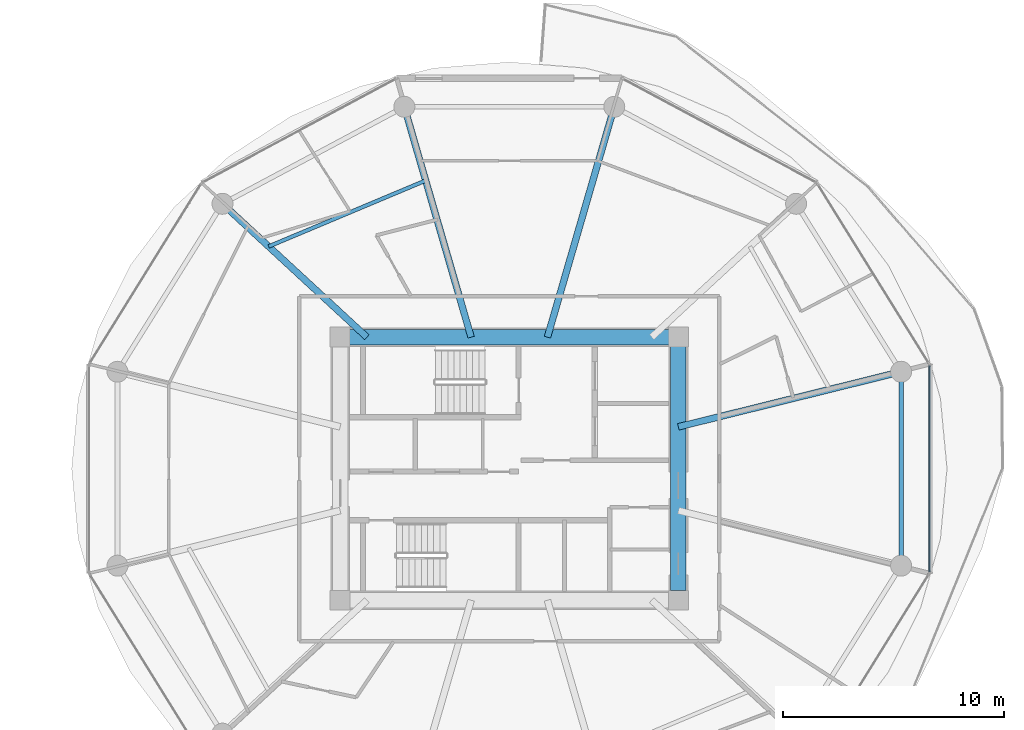
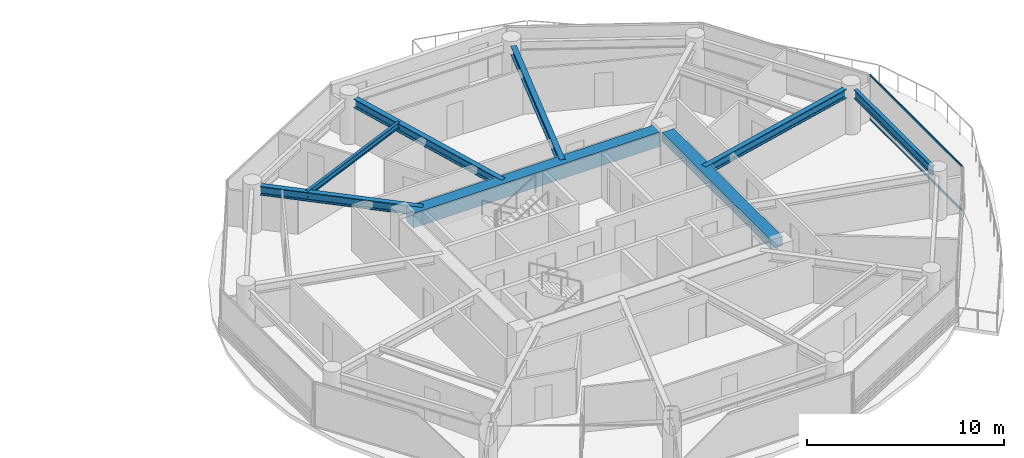
# One storey, part 13 of 28: 8 beams, 2 members, 1 element without a shape of its own.
"""IFC4 building model written with IfcOpenShell, lengths in metres."""

import ifcopenshell
import ifcopenshell.guid

model = None  # the IFC model being written
_history = None  # IfcOwnerHistory: only IFC2X3 demands one
_inside = {}  # id of a spatial element -> (the spatial element, [elements in it])
_under = {}  # id of a project, library or spatial element -> (it, [spatial elements below it])
_declared = {}  # id of a project -> (the project, [libraries it declares])
_typed = {}  # id of a type object -> (the type object, [elements of that type])
_made_of = {}  # id of a material, layer set ... -> (it, [elements and type objects made of it])


def new_model(schema):
    """Start an empty IFC model of exactly this schema.

    Asked for "IFC4X3", IfcOpenShell would pick the latest addendum, in which some entities
    have other attributes; the version numbers below select the first issue.
    IFC2X3 requires an IfcOwnerHistory on every rooted entity: one is made here for all.
    """
    global model, _history
    if schema == "IFC4X3":
        model = ifcopenshell.file(schema_version=(4, 3, 0, 0))
    else:
        model = ifcopenshell.file(schema=schema)
    _inside.clear()
    _under.clear()
    _declared.clear()
    _typed.clear()
    _made_of.clear()
    _history = None
    if model.schema == "IFC2X3":
        org = make("IfcOrganization", Name="unknown")
        user = make(
            "IfcPersonAndOrganization",
            ThePerson=make("IfcPerson", FamilyName="unknown"),
            TheOrganization=org,
        )
        app = make(
            "IfcApplication",
            ApplicationDeveloper=org,
            Version="unknown",
            ApplicationFullName="unknown",
            ApplicationIdentifier="unknown",
        )
        _history = make(
            "IfcOwnerHistory",
            OwningUser=user,
            OwningApplication=app,
            ChangeAction="ADDED",
            CreationDate=0,
        )
    return model


def make(cls, **values):
    """One entity of the class cls with the attributes given. An attribute that is None is left unset."""
    return model.create_entity(
        cls, **{name: value for name, value in values.items() if value is not None}
    )


def rooted(cls, **values):
    """An entity with a GlobalId (a new one), such as an element, a storey or a relation."""
    return make(cls, GlobalId=ifcopenshell.guid.new(), OwnerHistory=_history, **values)


def si_unit(unit_type, name, prefix=None):
    """IfcSIUnit, for example si_unit("LENGTHUNIT", "METRE", prefix="MILLI")."""
    return make("IfcSIUnit", UnitType=unit_type, Prefix=prefix, Name=name)


def assignment(units):
    """IfcUnitAssignment: the units of a project."""
    return None if units is None else make("IfcUnitAssignment", Units=units)


def point(xyz):
    """IfcCartesianPoint."""
    return None if xyz is None else make("IfcCartesianPoint", Coordinates=xyz)


def direction(xyz):
    """IfcDirection."""
    return None if xyz is None else make("IfcDirection", DirectionRatios=xyz)


def frame(location, z_axis=None, x_axis=None):
    """IfcAxis2Placement3D, a coordinate frame: its origin and axes. An axis left out is left unset."""
    return make(
        "IfcAxis2Placement3D",
        Location=point(location),
        Axis=direction(z_axis),
        RefDirection=direction(x_axis),
    )


def frame_2d(location, x_axis=None):
    """IfcAxis2Placement2D, a coordinate frame in the plane: its origin and x axis."""
    return make(
        "IfcAxis2Placement2D", Location=point(location), RefDirection=direction(x_axis)
    )


def origin():
    """The frame at (0, 0, 0) with its axes left unset."""
    return frame((0.0, 0.0, 0.0))


def origin_2d():
    """The frame at (0, 0) in the plane with its x axis left unset."""
    return frame_2d((0.0, 0.0))


def place(relative_to, where):
    """IfcLocalPlacement: puts the frame where relative to a parent placement (None: the world)."""
    return make(
        "IfcLocalPlacement", PlacementRelTo=relative_to, RelativePlacement=where
    )


def context(
    kind, dimensions, precision=None, world=None, true_north=None, identifier=None
):
    """IfcGeometricRepresentationContext, for example the 3D "Model" context."""
    return make(
        "IfcGeometricRepresentationContext",
        ContextIdentifier=identifier,
        ContextType=kind,
        CoordinateSpaceDimension=dimensions,
        Precision=precision,
        WorldCoordinateSystem=world,
        TrueNorth=true_north,
    )


def subcontext(parent, identifier, kind, view, scale=None):
    """IfcGeometricRepresentationSubContext, for example "Body" below "Model"."""
    return make(
        "IfcGeometricRepresentationSubContext",
        ContextIdentifier=identifier,
        ContextType=kind,
        ParentContext=parent,
        TargetScale=scale,
        TargetView=view,
    )


def project(units=None, contexts=None):
    """IfcProject with its units and contexts."""
    return rooted(
        "IfcProject",
        Name="project",
        RepresentationContexts=contexts,
        UnitsInContext=assignment(units),
    )


def spatial(cls, under=None, at=None, **own):
    """A site, building, storey or space (cls), placed at a placement, below another one or the project."""
    s = rooted(cls, ObjectPlacement=at, **own)
    if under is not None:
        _under.setdefault(under.id(), (under, []))[1].append(s)
    return s


def profile(cls, at=None, kind="AREA", **sizes):
    """A parametric profile (cls). Its sizes go by their IFC names, for example OverallWidth=200.0."""
    return make(cls, ProfileType=kind, Position=at, **sizes)


def rectangle(**sizes):
    """IfcRectangleProfileDef."""
    return profile("IfcRectangleProfileDef", **sizes)


def i_section(**sizes):
    """IfcIShapeProfileDef."""
    return profile("IfcIShapeProfileDef", **sizes)


def extrude(swept, where, along, depth):
    """IfcExtrudedAreaSolid: the profile swept, set in the frame where, extruded along a direction by depth."""
    return make(
        "IfcExtrudedAreaSolid",
        SweptArea=swept,
        Position=where,
        ExtrudedDirection=direction(along),
        Depth=depth,
    )


def shape(context_of_items, identifier, shape_type, items):
    """IfcShapeRepresentation: the items that make up one representation, for example the "Body"."""
    return make(
        "IfcShapeRepresentation",
        ContextOfItems=context_of_items,
        RepresentationIdentifier=identifier,
        RepresentationType=shape_type,
        Items=items,
    )


def source(mapping_origin, context_of_items, identifier, shape_type, items):
    """IfcRepresentationMap: a shape defined once, which mapped items show again and again."""
    return make(
        "IfcRepresentationMap",
        MappingOrigin=mapping_origin,
        MappedRepresentation=shape(context_of_items, identifier, shape_type, items),
    )


def transform(
    local_origin,
    x_axis=None,
    y_axis=None,
    z_axis=None,
    scale=None,
    scale2=None,
    scale3=None,
    uniform=True,
):
    """IfcCartesianTransformationOperator3D, or its non-uniform kind. x_axis, y_axis, z_axis: its Axis1, 2, 3."""
    if uniform:
        return make(
            "IfcCartesianTransformationOperator3D",
            Axis1=direction(x_axis),
            Axis2=direction(y_axis),
            LocalOrigin=point(local_origin),
            Scale=scale,
            Axis3=direction(z_axis),
        )
    return make(
        "IfcCartesianTransformationOperator3DnonUniform",
        Axis1=direction(x_axis),
        Axis2=direction(y_axis),
        LocalOrigin=point(local_origin),
        Scale=scale,
        Axis3=direction(z_axis),
        Scale2=scale2,
        Scale3=scale3,
    )


def mapped(mapping_source, mapping_target):
    """IfcMappedItem: shows the shape of a source again, moved by a transform."""
    return make(
        "IfcMappedItem", MappingSource=mapping_source, MappingTarget=mapping_target
    )


def material(Name=None, Category=None):
    """IfcMaterial."""
    return make("IfcMaterial", Name=Name, Category=Category)


def layer(
    of_material, thickness, ventilated=None, Name=None, Category=None, Priority=None
):
    """IfcMaterialLayer: one layer of a wall or slab, of a material (None: an air gap)."""
    return make(
        "IfcMaterialLayer",
        Material=of_material,
        LayerThickness=thickness,
        IsVentilated=ventilated,
        Name=Name,
        Category=Category,
        Priority=Priority,
    )


def layer_set(layers, Name=None):
    """IfcMaterialLayerSet."""
    return make("IfcMaterialLayerSet", MaterialLayers=layers, LayerSetName=Name)


def material_profile(
    of_material, cross_section, Name=None, Category=None, Priority=None
):
    """IfcMaterialProfile: a cross section and its material."""
    return make(
        "IfcMaterialProfile",
        Name=Name,
        Material=of_material,
        Profile=cross_section,
        Priority=Priority,
        Category=Category,
    )


def profile_set(profiles, Name=None, composite=None):
    """IfcMaterialProfileSet."""
    return make(
        "IfcMaterialProfileSet",
        Name=Name,
        MaterialProfiles=profiles,
        CompositeProfile=composite,
    )


def made_of(thing, what):
    """Note that an element or type object is made of a material, layer set ...; save() writes the relation."""
    if what is not None:
        _made_of.setdefault(what.id(), (what, []))[1].append(thing)
    return thing


def type_object(cls, material=None, **own):
    """A type object (cls), such as IfcWallType, which elements share."""
    return made_of(rooted(cls, **own), material)


def type_shapes(of_type, sources):
    """Give a type object the sources (RepresentationMaps) that its elements show as mapped items."""
    of_type.RepresentationMaps = sources


def element(
    cls,
    number,
    at=None,
    inside=None,
    cuts=None,
    type_object=None,
    material=None,
    context=None,
    identifier="Body",
    shape_type=None,
    held_by="IfcProductDefinitionShape",
    body=None,
    shapes=None,
    **own,
):
    """One element of the class cls, such as IfcWall. Its Tag is "e" and its number.

    at: its placement. inside: the storey or other place that contains it. cuts: it is an
    opening in that element (IfcRelVoidsElement). A single representation is given by context,
    identifier, shape_type and body (its items); several are given by shapes. held_by: the class
    of the entity that holds the representations. save() writes the other relations.
    """
    e = rooted(cls, Tag="e%d" % number, ObjectPlacement=at, **own)
    if body is not None:
        shapes = [shape(context, identifier, shape_type, body)]
    if shapes is not None:
        e.Representation = make(held_by, Representations=shapes)
    if inside is not None:
        _inside.setdefault(inside.id(), (inside, []))[1].append(e)
    if cuts is not None:
        rooted(
            "IfcRelVoidsElement", RelatingBuildingElement=cuts, RelatedOpeningElement=e
        )
    if type_object is not None:
        _typed.setdefault(type_object.id(), (type_object, []))[1].append(e)
    return made_of(e, material)


def aggregate(whole, parts):
    """IfcRelAggregates: a whole, such as a stair, and the parts it consists of."""
    return rooted("IfcRelAggregates", RelatingObject=whole, RelatedObjects=parts)


def save(model, path):
    """Write the relations noted so far, then the file.

    IfcRelAggregates (storeys below a building ...), IfcRelContainedInSpatialStructure (elements
    in a storey), IfcRelDefinesByType, IfcRelAssociatesMaterial and IfcRelDeclares: one each for
    every whole, place, type object, material and project.
    """
    for whole, parts in _under.values():
        aggregate(whole, parts)
    for where, things in _inside.values():
        rooted(
            "IfcRelContainedInSpatialStructure",
            RelatedElements=things,
            RelatingStructure=where,
        )
    for kind, things in _typed.values():
        rooted("IfcRelDefinesByType", RelatedObjects=things, RelatingType=kind)
    for what, things in _made_of.values():
        rooted("IfcRelAssociatesMaterial", RelatedObjects=things, RelatingMaterial=what)
    for by, libraries in _declared.values():
        rooted("IfcRelDeclares", RelatingContext=by, RelatedDefinitions=libraries)
    model.write(path)


model = new_model("IFC4")

# Units and contexts
model_context = context("Model", 3, precision=1e-05, world=origin(), true_north=direction((0.0, 1.0)))
body_context = subcontext(model_context, "Body", "Model", "MODEL_VIEW")
ifc_project = project(units=[si_unit("LENGTHUNIT", "METRE"), si_unit("AREAUNIT", "SQUARE_METRE"), si_unit("VOLUMEUNIT", "CUBIC_METRE"), si_unit("PLANEANGLEUNIT", "RADIAN"), si_unit("MASSUNIT", "GRAM", prefix="KILO")], contexts=[model_context])

# Site, building, storey
site_placement = place(None, origin())
site = spatial("IfcSite", under=ifc_project, at=site_placement, CompositionType="ELEMENT")
building_placement = place(site_placement, origin())
building = spatial("IfcBuilding", under=site, at=building_placement, Name="Norrkilde Senior Care Towers", CompositionType="ELEMENT")
storey_placement = place(building_placement, frame((0.0, 0.0, 39.89990234375)))
storey = spatial("IfcBuildingStorey", under=building, at=storey_placement, Name="L11", CompositionType="ELEMENT", Elevation=39.89990234375)

# Beams
ifc_material_1 = material(Name="Concrete C60/75", Category="concrete")
ifc_material_profile_1 = material_profile(ifc_material_1, rectangle(XDim=0.699951171875, YDim=0.89990234375, at=origin_2d()), Name="RC BM 700x900")
ifc_profile_set_1 = profile_set([ifc_material_profile_1], Name="Concrete C60/75")
beam_type_1 = type_object("IfcBeamType", Name="Core Coupling Girder 700x900", PredefinedType="USERDEFINED", material=ifc_profile_set_1)
shared_shape_1 = source(origin(), body_context, "Body", "SweptSolid", [
    extrude(rectangle(XDim=0.699951171875, YDim=0.89990234375, at=origin_2d()), origin(), (0.0, 0.0, 1.0), 14.43994140625),
])
type_shapes(beam_type_1, [shared_shape_1])
beam_1_placement = place(storey_placement, frame((20.780029296875, 5.949951171875, 2.340087890625), z_axis=(1.0, 0.0, 0.0), x_axis=(0.0, 1.0, 0.0)))
element("IfcBeam", 1, at=beam_1_placement, inside=storey, type_object=beam_type_1, Name="L11 Core E N Coupling Girder", ObjectType="GIRDER", PredefinedType="USERDEFINED", context=body_context, shape_type="MappedRepresentation", body=[
    mapped(shared_shape_1, transform((0.0, 0.0, 0.0), x_axis=(1.0, 0.0, 0.0), y_axis=(0.0, 1.0, 0.0), z_axis=(0.0, 0.0, 1.0), scale=1.0)),
])
ifc_material_profile_2 = material_profile(ifc_material_1, rectangle(XDim=0.699951171875, YDim=0.550048828125, at=origin_2d()), Name="RC BM 700x550")
ifc_profile_set_2 = profile_set([ifc_material_profile_2], Name="Concrete C60/75")
beam_type_2 = type_object("IfcBeamType", Name="Core Portal Coupling Beam 700x550", PredefinedType="USERDEFINED", material=ifc_profile_set_2)
shared_shape_2 = source(origin(), body_context, "Body", "SweptSolid", [
    extrude(rectangle(XDim=0.699951171875, YDim=0.550048828125, at=origin_2d()), origin(), (0.0, 0.0, 1.0), 11.0400390625),
])
type_shapes(beam_type_2, [shared_shape_2])
beam_2_placement = place(storey_placement, frame((35.64990234375, -5.52001953125, 2.51513671875), z_axis=(0.0, 1.0, 0.0), x_axis=(-1.0, 0.0, 0.0)))
element("IfcBeam", 2, at=beam_2_placement, inside=storey, type_object=beam_type_2, Name="L11 Core E E Coupling Girder", ObjectType="GIRDER", PredefinedType="USERDEFINED", context=body_context, shape_type="MappedRepresentation", body=[
    mapped(shared_shape_2, transform((0.0, 0.0, 0.0), x_axis=(1.0, 0.0, 0.0), y_axis=(0.0, 1.0, 0.0), z_axis=(0.0, 0.0, 1.0), scale=1.0)),
])
ifc_material_2 = material(Name="Steel S355", Category="steel")
ifc_material_profile_3 = material_profile(ifc_material_2, i_section(OverallWidth=0.300048828125, OverallDepth=0.550048828125, WebThickness=0.014892578125, FlangeThickness=0.029052734375, FilletRadius=0.027099609375, at=origin_2d()), Name="HEB 550")
ifc_profile_set_3 = profile_set([ifc_material_profile_3], Name="Steel S355")
beam_type_3 = type_object("IfcBeamType", Name="Radial Floor Beam Z1 HEB550", PredefinedType="BEAM", material=ifc_profile_set_3)
shared_shape_3 = source(origin(), body_context, "Body", "SweptSolid", [
    extrude(i_section(OverallWidth=0.300048828125, OverallDepth=0.550048828125, WebThickness=0.014892578125, FlangeThickness=0.029052734375, FilletRadius=0.027099609375, at=origin_2d()), origin(), (0.0, 0.0, 1.0), 9.94384765625),
])
beam_3_placement = place(storey_placement, frame((35.64990234375, 1.893310546875, 2.51513671875), z_axis=(0.970707425182, 0.240264634718, 0.0), x_axis=(-0.240264634718, 0.970707425182, 0.0)))
element("IfcBeam", 3, at=beam_3_placement, inside=storey, type_object=beam_type_3, Name="L11 Drum E Radial Floor Beam 01", PredefinedType="BEAM", context=body_context, shape_type="MappedRepresentation", body=[
    mapped(shared_shape_3, transform((0.0, 0.0, 0.0), x_axis=(1.0, 0.0, 0.0), y_axis=(0.0, 1.0, 0.0), z_axis=(0.0, 0.0, 1.0), scale=1.0)),
])
shared_shape_4 = source(origin(), body_context, "Body", "SweptSolid", [
    extrude(i_section(OverallWidth=0.300048828125, OverallDepth=0.550048828125, WebThickness=0.014892578125, FlangeThickness=0.029052734375, FilletRadius=0.027099609375, at=origin_2d()), origin(), (0.0, 0.0, 1.0), 8.459716796875),
])
beam_4_placement = place(storey_placement, frame((21.55859375, 5.949951171875, 2.51513671875), z_axis=(-0.734573269108, 0.678529374686, 0.0), x_axis=(-0.678529374686, -0.734573269108, 0.0)))
element("IfcBeam", 4, at=beam_4_placement, inside=storey, type_object=beam_type_3, Name="L11 Drum E Radial Floor Beam 05", PredefinedType="BEAM", context=body_context, shape_type="MappedRepresentation", body=[
    mapped(shared_shape_4, transform((0.0, 0.0, 0.0), x_axis=(1.0, 0.0, 0.0), y_axis=(0.0, 1.0, 0.0), z_axis=(0.0, 0.0, 1.0), scale=1.0)),
])
shared_shape_5 = source(origin(), body_context, "Body", "SweptSolid", [
    extrude(i_section(OverallWidth=0.300048828125, OverallDepth=0.550048828125, WebThickness=0.014892578125, FlangeThickness=0.029052734375, FilletRadius=0.027099609375, at=origin_2d()), origin(), (0.0, 0.0, 1.0), 10.4169921875),
])
type_shapes(beam_type_3, [shared_shape_3, shared_shape_4, shared_shape_5])
for number, where, z_axis, x_axis, name in (
    (5, (29.72607421875, 5.949951171875, 2.51513671875), (0.278591250785, 0.960409764104, 0.0), (-0.960409764104, 0.278591250785, 0.0), "L11 Drum E Radial Floor Beam 03"),
    (6, (26.27392578125, 5.949951171875, 2.51513671875), (-0.278591250785, 0.960409764104, 0.0), (-0.960409764104, -0.278591250785, 0.0), "L11 Drum E Radial Floor Beam 04"),
):
    element("IfcBeam", number, at=place(storey_placement, frame(where, z_axis=z_axis, x_axis=x_axis)), inside=storey, type_object=beam_type_3, Name=name, PredefinedType="BEAM", context=body_context, shape_type="MappedRepresentation", body=[
        mapped(shared_shape_5, transform((0.0, 0.0, 0.0), x_axis=(1.0, 0.0, 0.0), y_axis=(0.0, 1.0, 0.0), z_axis=(0.0, 0.0, 1.0), scale=1.0)),
    ])
ifc_material_profile_4 = material_profile(ifc_material_2, i_section(OverallWidth=0.2099609375, OverallDepth=0.550048828125, WebThickness=0.010986328125, FlangeThickness=0.01708984375, FilletRadius=0.02392578125, at=origin_2d()), Name="IPE 550")
ifc_profile_set_4 = profile_set([ifc_material_profile_4], Name="Steel S355")
beam_type_4 = type_object("IfcBeamType", Name="Perimeter Ring Spandrel Z1 IPE550", PredefinedType="SPANDREL", material=ifc_profile_set_4)
shared_shape_6 = source(origin(), body_context, "Body", "SweptSolid", [
    extrude(i_section(OverallWidth=0.2099609375, OverallDepth=0.550048828125, WebThickness=0.010986328125, FlangeThickness=0.01708984375, FilletRadius=0.02392578125, at=origin_2d()), origin(), (0.0, 0.0, 1.0), 7.90380859375),
])
type_shapes(beam_type_4, [shared_shape_6])
beam_5_placement = place(storey_placement, frame((45.724853515625, -3.951904296875, 2.51513671875), z_axis=(0.0, 1.0, 0.0), x_axis=(-1.0, 0.0, 0.0)))
element("IfcBeam", 7, at=beam_5_placement, inside=storey, type_object=beam_type_4, Name="L11 Drum E Perimeter Spandrel 12", PredefinedType="SPANDREL", context=body_context, shape_type="MappedRepresentation", body=[
    mapped(shared_shape_6, transform((0.0, 0.0, 0.0), x_axis=(1.0, 0.0, 0.0), y_axis=(0.0, 1.0, 0.0), z_axis=(0.0, 0.0, 1.0), scale=1.0)),
])
ifc_material_profile_5 = material_profile(ifc_material_2, i_section(OverallWidth=0.169921875, OverallDepth=0.360107421875, WebThickness=0.008056640625, FlangeThickness=0.0126953125, FilletRadius=0.01806640625, at=origin_2d()), Name="IPE 360")
ifc_profile_set_5 = profile_set([ifc_material_profile_5], Name="Steel S355")
beam_type_5 = type_object("IfcBeamType", Name="Secondary Floor Joist IPE360", PredefinedType="JOIST", material=ifc_profile_set_5)
shared_shape_7 = source(origin(), body_context, "Body", "SweptSolid", [
    extrude(i_section(OverallWidth=0.169921875, OverallDepth=0.360107421875, WebThickness=0.008056640625, FlangeThickness=0.0126953125, FilletRadius=0.01806640625, at=origin_2d()), origin(), (0.0, 0.0, 1.0), 7.703857421875),
])
type_shapes(beam_type_5, [shared_shape_7])
beam_6_placement = place(storey_placement, frame((24.21826171875, 13.037353515625, 2.610107421875), z_axis=(-0.921982784465, -0.387230868023, 0.0), x_axis=(0.387230868023, -0.921982784465, 0.0)))
element("IfcBeam", 8, at=beam_6_placement, inside=storey, type_object=beam_type_5, Name="L11 Drum E Secondary Floor Joist 2", PredefinedType="JOIST", context=body_context, shape_type="MappedRepresentation", body=[
    mapped(shared_shape_7, transform((0.0, 0.0, 0.0), x_axis=(1.0, 0.0, 0.0), y_axis=(0.0, 1.0, 0.0), z_axis=(0.0, 0.0, 1.0), scale=1.0)),
])

# Curtain wall, members
ifc_material_3 = material(Name="Triple Low-E Insulated Glazing", Category="glass")
ifc_layer = layer(ifc_material_3, 0.199951171875)
ifc_layer_set = layer_set([ifc_layer], Name="Triple Low-E Insulated Glazing")
curtain_wall_type = type_object("IfcCurtainWallType", Name="CW2 Zone 1 Memory Care Curtain Wall", PredefinedType="NOTDEFINED", material=ifc_layer_set)
curtain_wall_placement = place(storey_placement, origin())
curtain_wall = element("IfcCurtainWall", 9, at=curtain_wall_placement, inside=storey, type_object=curtain_wall_type, Name="L11 Drum E Curtain Wall 11", PredefinedType="NOTDEFINED")
ifc_material_4 = material(Name="Anodised Aluminium", Category="aluminium")
ifc_material_profile_6 = material_profile(ifc_material_4, rectangle(XDim=0.06005859375, YDim=0.1201171875, at=origin_2d()), Name="ALU TRAN 60x120")
ifc_profile_set_6 = profile_set([ifc_material_profile_6], Name="Anodised Aluminium")
member_type = type_object("IfcMemberType", Name="Curtain Wall Transom Typical 60x120", PredefinedType="USERDEFINED", material=ifc_profile_set_6)
shared_shape_8 = source(origin(), body_context, "Body", "SweptSolid", [
    extrude(rectangle(XDim=0.06005859375, YDim=0.1201171875, at=origin_2d()), origin(), (0.0, 0.0, 1.0), 9.33251953125),
])
type_shapes(member_type, [shared_shape_8])
member_1_placement = place(storey_placement, frame((47.009521484375, 4.666259765625, 0.030029296875), z_axis=(0.0, -1.0, 0.0), x_axis=(1.0, 0.0, 0.0)))
member_1 = element("IfcMember", 10, at=member_1_placement, type_object=member_type, Name="CW-2 transom 1.1", ObjectType="TRANSOM", PredefinedType="USERDEFINED", context=body_context, shape_type="MappedRepresentation", body=[
    mapped(shared_shape_8, transform((0.0, 0.0, 0.0), x_axis=(1.0, 0.0, 0.0), y_axis=(0.0, 1.0, 0.0), z_axis=(0.0, 0.0, 1.0), scale=1.0)),
])
member_2_placement = place(storey_placement, frame((47.009521484375, 4.666259765625, 2.760009765625), z_axis=(0.0, -1.0, 0.0), x_axis=(1.0, 0.0, 0.0)))
member_2 = element("IfcMember", 11, at=member_2_placement, type_object=member_type, Name="CW-2 transom 1.2", ObjectType="TRANSOM", PredefinedType="USERDEFINED", context=body_context, shape_type="MappedRepresentation", body=[
    mapped(shared_shape_8, transform((0.0, 0.0, 0.0), x_axis=(1.0, 0.0, 0.0), y_axis=(0.0, 1.0, 0.0), z_axis=(0.0, 0.0, 1.0), scale=1.0)),
])
aggregate(curtain_wall, [member_1, member_2])

save(model, "model.ifc")
